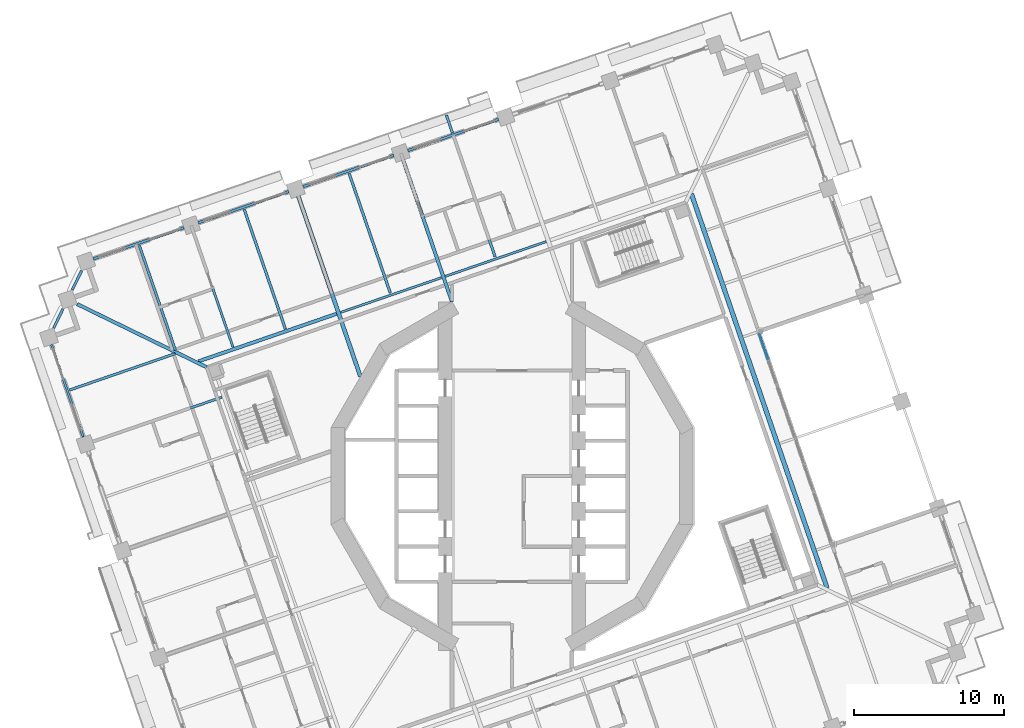
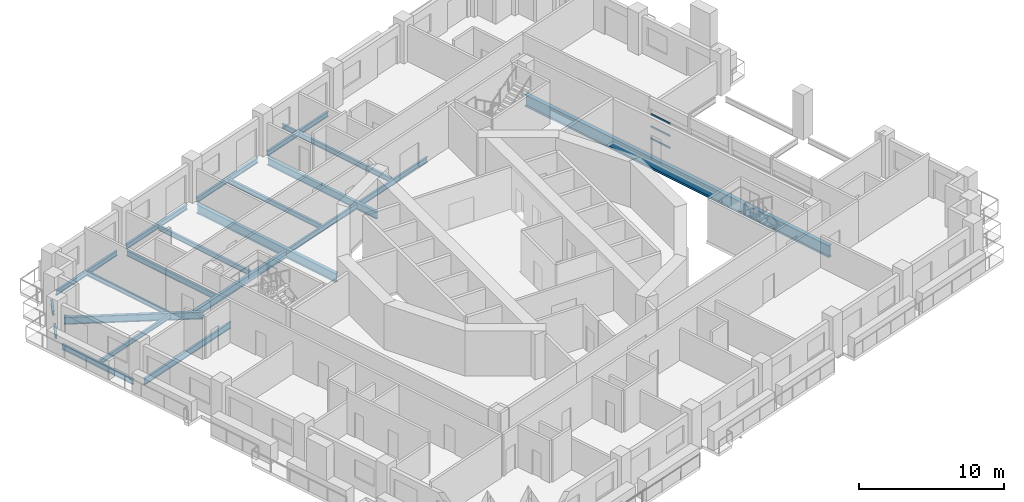
# One storey, part 3 of 21: 22 beams, 3 members, 1 element without a shape of its own.
"""IFC4 building model written with IfcOpenShell, lengths in metres."""

from ifc_helpers import new_model, si_unit, direction, frame, origin, origin_2d, place, context, subcontext, project, spatial, rectangle, i_section, extrude, material, material_profile, profile_set, type_object, element, aggregate, save


model = new_model("IFC4")

# Units and contexts
model_context = context("Model", 3, precision=1e-05, world=origin(), true_north=direction((0.0, 1.0)))
body_context = subcontext(model_context, "Body", "Model", "MODEL_VIEW")
ifc_project = project(units=[si_unit("LENGTHUNIT", "METRE"), si_unit("AREAUNIT", "SQUARE_METRE"), si_unit("VOLUMEUNIT", "CUBIC_METRE"), si_unit("PLANEANGLEUNIT", "RADIAN"), si_unit("MASSUNIT", "GRAM", prefix="KILO")], contexts=[model_context])

# Site, building, storey
site_placement = place(None, origin())
site = spatial("IfcSite", under=ifc_project, at=site_placement, CompositionType="ELEMENT")
building_placement = place(site_placement, origin())
building = spatial("IfcBuilding", under=site, at=building_placement, Name="Cantera Rosa Tower", CompositionType="ELEMENT")
storey_placement = place(building_placement, frame((0.0, 0.0, 119.300048828125)))
storey = spatial("IfcBuildingStorey", under=building, at=storey_placement, Name="L24", CompositionType="ELEMENT", Elevation=119.300048828125)

# Curtain wall, members
ifc_material_1 = material(Name="Aluminium frame with clear glass", Category="aluminium")
curtain_wall_type = type_object("IfcCurtainWallType", Name="CW1 TERRACE POCKET GLAZING", PredefinedType="NOTDEFINED", material=ifc_material_1)
curtain_wall_placement = place(storey_placement, origin())
curtain_wall = element("IfcCurtainWall", 1, at=curtain_wall_placement, inside=storey, type_object=curtain_wall_type, Name="CW1 CW1", PredefinedType="NOTDEFINED")
ifc_material_2 = material(Name="Anodised bronze aluminium", Category="aluminium")
ifc_material_profile_1 = material_profile(ifc_material_2, rectangle(XDim=0.06005859375, YDim=0.139892578125, at=origin_2d()), Name="CW-TRANSOM 60x140 POCKET")
ifc_profile_set_1 = profile_set([ifc_material_profile_1], Name="Anodised bronze aluminium")
member_type = type_object("IfcMemberType", Name="CW-TRANSOM 60x140 POCKET", PredefinedType="USERDEFINED", material=ifc_profile_set_1)
member_1_placement = place(storey_placement, frame((17.08984375, 7.805419921875, 0.030029296875), z_axis=(-0.325541424444, 0.945527779058, 0.0), x_axis=(-0.945527779058, -0.325541424444, 0.0)))
member_1 = element("IfcMember", 2, at=member_1_placement, type_object=member_type, Name="CW1 transom 8.1", ObjectType="TRANSOM", PredefinedType="USERDEFINED", context=body_context, shape_type="SweptSolid", body=[
    extrude(rectangle(XDim=0.06005859375, YDim=0.139892578125, at=origin_2d()), origin(), (0.0, 0.0, 1.0), 1.758544921875),
])
member_2_placement = place(storey_placement, frame((17.08984375, 7.805419921875, 1.052001953125), z_axis=(-0.325541424444, 0.945527779058, 0.0), x_axis=(-0.945527779058, -0.325541424444, 0.0)))
member_2 = element("IfcMember", 3, at=member_2_placement, type_object=member_type, Name="CW1 transom 8.2", ObjectType="TRANSOM", PredefinedType="USERDEFINED", context=body_context, shape_type="SweptSolid", body=[
    extrude(rectangle(XDim=0.06005859375, YDim=0.139892578125, at=origin_2d()), origin(), (0.0, 0.0, 1.0), 1.758544921875),
])
member_3_placement = place(storey_placement, frame((17.08984375, 7.805419921875, 2.073974609375), z_axis=(-0.325541424444, 0.945527779058, 0.0), x_axis=(-0.945527779058, -0.325541424444, 0.0)))
member_3 = element("IfcMember", 4, at=member_3_placement, type_object=member_type, Name="CW1 transom 8.3", ObjectType="TRANSOM", PredefinedType="USERDEFINED", context=body_context, shape_type="SweptSolid", body=[
    extrude(rectangle(XDim=0.06005859375, YDim=0.139892578125, at=origin_2d()), origin(), (0.0, 0.0, 1.0), 1.758544921875),
])
aggregate(curtain_wall, [member_1, member_2, member_3])

# Beams
ifc_material_3 = material(Name="Steel ASTM A992 (Fy 345 MPa)", Category="steel")
ifc_material_profile_2 = material_profile(ifc_material_3, i_section(OverallWidth=0.302001953125, OverallDepth=1.010009765625, WebThickness=0.02099609375, FlangeThickness=0.0400390625, FilletRadius=0.030029296875, at=origin_2d()), Name="W1000X350")
ifc_profile_set_2 = profile_set([ifc_material_profile_2], Name="Steel ASTM A992 (Fy 345 MPa)")
beam_type_1 = type_object("IfcBeamType", Name="STEEL BEAM W1000X350", PredefinedType="BEAM", material=ifc_profile_set_2)
beam_1_placement = place(storey_placement, frame((21.024658203125, -7.46142578125, -0.755126953125), z_axis=(-0.325567899412, 0.945518663418, 0.0), x_axis=(-0.945518663418, -0.325567899412, 0.0)))
element("IfcBeam", 5, at=beam_1_placement, inside=storey, type_object=beam_type_1, Name="RB-Z2-07 L24", PredefinedType="BEAM", context=body_context, shape_type="SweptSolid", body=[
    extrude(i_section(OverallWidth=0.302001953125, OverallDepth=1.010009765625, WebThickness=0.02099609375, FlangeThickness=0.0400390625, FilletRadius=0.030029296875, at=origin_2d()), origin(), (0.0, 0.0, 1.0), 27.800048828125),
])
ifc_material_4 = material(Name="Steel ASTM A992 (Fy 345 MPa)", Category="steel")
ifc_material_profile_3 = material_profile(ifc_material_4, i_section(OverallWidth=0.154052734375, OverallDepth=0.4599609375, WebThickness=0.009033203125, FlangeThickness=0.015380859375, FilletRadius=0.01025390625, at=origin_2d()), Name="W460X68")
ifc_profile_set_3 = profile_set([ifc_material_profile_3], Name="Steel ASTM A992 (Fy 345 MPa)")
beam_type_2 = type_object("IfcBeamType", Name="STEEL BEAM W460X68", PredefinedType="BEAM", material=ifc_profile_set_3)
beam_2_placement = place(storey_placement, frame((-21.25390625, 16.2666015625, -0.47998046875), z_axis=(0.325580085327, -0.945514467387, 0.0), x_axis=(0.945514467387, 0.325580085327, 0.0)))
element("IfcBeam", 6, at=beam_2_placement, inside=storey, type_object=beam_type_2, Name="G-Z2-09 L24", PredefinedType="BEAM", context=body_context, shape_type="SweptSolid", body=[
    extrude(i_section(OverallWidth=0.154052734375, OverallDepth=0.4599609375, WebThickness=0.009033203125, FlangeThickness=0.015380859375, FilletRadius=0.01025390625, at=origin_2d()), origin(), (0.0, 0.0, 1.0), 8.10009765625),
])
beam_3_placement = place(storey_placement, frame((-11.42919921875, 10.924072265625, -0.47998046875), z_axis=(0.945518325606, 0.32556888049, 0.0), x_axis=(-0.32556888049, 0.945518325606, 0.0)))
element("IfcBeam", 7, at=beam_3_placement, inside=storey, type_object=beam_type_2, Name="RB-Z2-02 L24", PredefinedType="BEAM", context=body_context, shape_type="SweptSolid", body=[
    extrude(i_section(OverallWidth=0.154052734375, OverallDepth=0.4599609375, WebThickness=0.009033203125, FlangeThickness=0.015380859375, FilletRadius=0.01025390625, at=origin_2d()), origin(), (0.0, 0.0, 1.0), 7.099853515625),
])
beam_4_placement = place(storey_placement, frame((-4.432373046875, 13.333251953125, -0.47998046875), z_axis=(0.945507740063, 0.325599621437, 0.0), x_axis=(-0.325599621437, 0.945507740063, 0.0)))
element("IfcBeam", 8, at=beam_4_placement, inside=storey, type_object=beam_type_2, Name="RB-Z2-03 L24", PredefinedType="BEAM", context=body_context, shape_type="SweptSolid", body=[
    extrude(i_section(OverallWidth=0.154052734375, OverallDepth=0.4599609375, WebThickness=0.009033203125, FlangeThickness=0.015380859375, FilletRadius=0.01025390625, at=origin_2d()), origin(), (0.0, 0.0, 1.0), 7.10009765625),
])
ifc_material_5 = material(Name="Steel ASTM A992 (Fy 345 MPa)", Category="steel")
ifc_material_profile_4 = material_profile(ifc_material_5, i_section(OverallWidth=0.166015625, OverallDepth=0.528076171875, WebThickness=0.009765625, FlangeThickness=0.013671875, FilletRadius=0.0126953125, at=origin_2d()), Name="W530X74")
ifc_profile_set_4 = profile_set([ifc_material_profile_4], Name="Steel ASTM A992 (Fy 345 MPa)")
beam_type_3 = type_object("IfcBeamType", Name="STEEL BEAM W530X74", PredefinedType="BEAM", material=ifc_profile_set_4)
beam_5_placement = place(storey_placement, frame((-27.97216796875, 2.29833984375, -0.51416015625), z_axis=(0.94551971591, 0.325564842737, 0.0), x_axis=(-0.325564842737, 0.94551971591, 0.0)))
element("IfcBeam", 9, at=beam_5_placement, inside=storey, type_object=beam_type_3, Name="G-Z2-15 L24", PredefinedType="BEAM", context=body_context, shape_type="SweptSolid", body=[
    extrude(i_section(OverallWidth=0.166015625, OverallDepth=0.528076171875, WebThickness=0.009765625, FlangeThickness=0.013671875, FilletRadius=0.0126953125, at=origin_2d()), origin(), (0.0, 0.0, 1.0), 9.10009765625),
])
ifc_material_6 = material(Name="Steel ASTM A992 (Fy 345 MPa)", Category="steel")
ifc_material_profile_5 = material_profile(ifc_material_6, i_section(OverallWidth=0.22802734375, OverallDepth=0.60205078125, WebThickness=0.010498046875, FlangeThickness=0.014892578125, FilletRadius=0.0126953125, at=origin_2d()), Name="W610X101")
ifc_profile_set_5 = profile_set([ifc_material_profile_5], Name="Steel ASTM A992 (Fy 345 MPa)")
beam_type_4 = type_object("IfcBeamType", Name="STEEL BEAM W610X101", PredefinedType="BEAM", material=ifc_profile_set_5)
beam_6_placement = place(storey_placement, frame((-29.017822265625, 11.47802734375, -0.551025390625), z_axis=(0.898796015179, -0.438367109965, 0.0), x_axis=(0.438367109965, 0.898796015179, 0.0)))
element("IfcBeam", 10, at=beam_6_placement, inside=storey, type_object=beam_type_4, Name="CB-Z2-02 L24", PredefinedType="BEAM", context=body_context, shape_type="SweptSolid", body=[
    extrude(i_section(OverallWidth=0.22802734375, OverallDepth=0.60205078125, WebThickness=0.010498046875, FlangeThickness=0.014892578125, FilletRadius=0.0126953125, at=origin_2d()), origin(), (0.0, 0.0, 1.0), 9.616455078125),
])
beam_7_placement = place(storey_placement, frame((-7.26025390625, 21.0849609375, -0.551025390625), z_axis=(0.325587365823, -0.945511960377, 0.0), x_axis=(0.945511960377, 0.325587365823, 0.0)))
element("IfcBeam", 11, at=beam_7_placement, inside=storey, type_object=beam_type_4, Name="G-Z2-07 L24", PredefinedType="BEAM", context=body_context, shape_type="SweptSolid", body=[
    extrude(i_section(OverallWidth=0.22802734375, OverallDepth=0.60205078125, WebThickness=0.010498046875, FlangeThickness=0.014892578125, FilletRadius=0.0126953125, at=origin_2d()), origin(), (0.0, 0.0, 1.0), 10.0),
])
ifc_material_7 = material(Name="Steel ASTM A992 (Fy 345 MPa)", Category="steel")
ifc_material_profile_6 = material_profile(ifc_material_7, i_section(OverallWidth=0.22900390625, OverallDepth=0.612060546875, WebThickness=0.011962890625, FlangeThickness=0.01953125, FilletRadius=0.0126953125, at=origin_2d()), Name="W610X125")
ifc_profile_set_6 = profile_set([ifc_material_profile_6], Name="Steel ASTM A992 (Fy 345 MPa)")
beam_type_5 = type_object("IfcBeamType", Name="STEEL BEAM W610X125", PredefinedType="BEAM", material=ifc_profile_set_6)
beam_8_placement = place(storey_placement, frame((-20.931640625, 7.652099609375, -0.55615234375), z_axis=(0.945517116269, 0.32557239263, 0.0), x_axis=(-0.32557239263, 0.945517116269, 0.0)))
element("IfcBeam", 12, at=beam_8_placement, inside=storey, type_object=beam_type_5, Name="RB-Z2-01 L24", PredefinedType="BEAM", context=body_context, shape_type="SweptSolid", body=[
    extrude(i_section(OverallWidth=0.22900390625, OverallDepth=0.612060546875, WebThickness=0.011962890625, FlangeThickness=0.01953125, FilletRadius=0.0126953125, at=origin_2d()), origin(), (0.0, 0.0, 1.0), 9.75),
])
ifc_material_8 = material(Name="Steel ASTM A992 (Fy 345 MPa)", Category="steel")
ifc_material_profile_7 = material_profile(ifc_material_8, i_section(OverallWidth=0.26708984375, OverallDepth=0.75390625, WebThickness=0.01318359375, FlangeThickness=0.01708984375, FilletRadius=0.0166015625, at=origin_2d()), Name="W760X147")
ifc_profile_set_7 = profile_set([ifc_material_profile_7], Name="Steel ASTM A992 (Fy 345 MPa)")
beam_type_6 = type_object("IfcBeamType", Name="STEEL BEAM W760X147", PredefinedType="BEAM", material=ifc_profile_set_7)
beam_9_placement = place(storey_placement, frame((-14.257080078125, 18.67578125, -0.626953125), z_axis=(0.325575880476, -0.945515915282, 0.0), x_axis=(0.945515915282, 0.325575880476, 0.0)))
element("IfcBeam", 13, at=beam_9_placement, inside=storey, type_object=beam_type_6, Name="G-Z2-08 L24", PredefinedType="BEAM", context=body_context, shape_type="SweptSolid", body=[
    extrude(i_section(OverallWidth=0.26708984375, OverallDepth=0.75390625, WebThickness=0.01318359375, FlangeThickness=0.01708984375, FilletRadius=0.0166015625, at=origin_2d()), origin(), (0.0, 0.0, 1.0), 12.734375),
])
ifc_material_9 = material(Name="Steel ASTM A992 (Fy 345 MPa)", Category="steel")
ifc_material_profile_8 = material_profile(ifc_material_9, i_section(OverallWidth=0.1708984375, OverallDepth=0.35595703125, WebThickness=0.00732421875, FlangeThickness=0.01171875, FilletRadius=0.010009765625, at=origin_2d()), Name="W360X51")
ifc_profile_set_8 = profile_set([ifc_material_profile_8], Name="Steel ASTM A992 (Fy 345 MPa)")
beam_type_7 = type_object("IfcBeamType", Name="STEEL JOIST W360X51", PredefinedType="JOIST", material=ifc_profile_set_8)
beam_10_placement = place(storey_placement, frame((-24.8662109375, 15.39306640625, -0.427978515625), z_axis=(0.325565645331, -0.945519439557, 0.0), x_axis=(0.945519439557, 0.325565645331, 0.0)))
element("IfcBeam", 14, at=beam_10_placement, inside=storey, type_object=beam_type_7, Name="B-Z2-11 L24", PredefinedType="JOIST", context=body_context, shape_type="SweptSolid", body=[
    extrude(i_section(OverallWidth=0.1708984375, OverallDepth=0.35595703125, WebThickness=0.00732421875, FlangeThickness=0.01171875, FilletRadius=0.010009765625, at=origin_2d()), origin(), (0.0, 0.0, 1.0), 7.39990234375),
])
beam_11_placement = place(storey_placement, frame((-29.52734375, 5.739501953125, -0.427978515625), z_axis=(0.945521732807, 0.325558985116, 0.0), x_axis=(-0.325558985116, 0.945521732807, 0.0)))
element("IfcBeam", 15, at=beam_11_placement, inside=storey, type_object=beam_type_7, Name="B-Z2-18 L24", PredefinedType="JOIST", context=body_context, shape_type="SweptSolid", body=[
    extrude(i_section(OverallWidth=0.1708984375, OverallDepth=0.35595703125, WebThickness=0.00732421875, FlangeThickness=0.01171875, FilletRadius=0.010009765625, at=origin_2d()), origin(), (0.0, 0.0, 1.0), 7.460205078125),
])
beam_12_placement = place(storey_placement, frame((-3.966796875, 22.88525390625, -0.427978515625), z_axis=(-0.3256515674, 0.945489850104, 0.0), x_axis=(-0.945489850104, -0.3256515674, 0.0)))
element("IfcBeam", 16, at=beam_12_placement, inside=storey, type_object=beam_type_7, Name="BS-Z2-09 L24", PredefinedType="JOIST", context=body_context, shape_type="SweptSolid", body=[
    extrude(i_section(OverallWidth=0.1708984375, OverallDepth=0.35595703125, WebThickness=0.00732421875, FlangeThickness=0.01171875, FilletRadius=0.010009765625, at=origin_2d()), origin(), (0.0, 0.0, 1.0), 1.2646484375),
])
ifc_material_10 = material(Name="Steel ASTM A992 (Fy 345 MPa)", Category="steel")
ifc_material_profile_9 = material_profile(ifc_material_10, i_section(OverallWidth=0.177978515625, OverallDepth=0.406005859375, WebThickness=0.0078125, FlangeThickness=0.0126953125, FilletRadius=0.01025390625, at=origin_2d()), Name="W410X60")
ifc_profile_set_9 = profile_set([ifc_material_profile_9], Name="Steel ASTM A992 (Fy 345 MPa)")
beam_type_8 = type_object("IfcBeamType", Name="STEEL JOIST W410X60", PredefinedType="JOIST", material=ifc_profile_set_9)
for number, where, z_axis, x_axis, name in (
    (17, (-3.875732421875, 22.62060546875, -0.453125), (0.325556131421, -0.945522715377, 0.0), (0.945522715377, 0.325556131421, 0.0), "B-Z2-08 L24"),
    (18, (-10.87255859375, 20.21142578125, -0.453125), (0.325556131421, -0.945522715377, 0.0), (0.945522715377, 0.325556131421, 0.0), "B-Z2-09 L24"),
    (19, (-17.869384765625, 17.80224609375, -0.453125), (0.325556131421, -0.945522715377, 0.0), (0.945522715377, 0.325556131421, 0.0), "B-Z2-10 L24"),
):
    element("IfcBeam", number, at=place(storey_placement, frame(where, z_axis=z_axis, x_axis=x_axis)), inside=storey, type_object=beam_type_8, Name=name, PredefinedType="JOIST", context=body_context, shape_type="SweptSolid", body=[
        extrude(i_section(OverallWidth=0.177978515625, OverallDepth=0.406005859375, WebThickness=0.0078125, FlangeThickness=0.0126953125, FilletRadius=0.01025390625, at=origin_2d()), origin(), (0.0, 0.0, 1.0), 8.4501953125),
    ])
ifc_material_11 = material(Name="Steel ASTM A992 (Fy 345 MPa)", Category="steel")
ifc_material_profile_10 = material_profile(ifc_material_11, i_section(OverallWidth=0.1708984375, OverallDepth=0.35595703125, WebThickness=0.00732421875, FlangeThickness=0.01171875, FilletRadius=0.010009765625, at=origin_2d()), Name="W360X51")
ifc_profile_set_10 = profile_set([ifc_material_profile_10], Name="Steel ASTM A992 (Fy 345 MPa)")
beam_type_9 = type_object("IfcBeamType", Name="STEEL SPANDREL BEAM W360X51", PredefinedType="SPANDREL", material=ifc_profile_set_10)
for number, where, z_axis, x_axis, name in (
    (20, (-28.723388671875, 13.694580078125, -0.427978515625), (-0.438491655897, -0.898735260079, 0.0), (0.898735260079, -0.438491655897, 0.0), "EB-Z2-14 L24"),
    (21, (-29.96337890625, 11.152587890625, -0.427978515625), (-0.438284186308, -0.898836454552, 0.0), (0.898836454552, -0.438284186308, 0.0), "EB-Z2-15 L24"),
):
    element("IfcBeam", number, at=place(storey_placement, frame(where, z_axis=z_axis, x_axis=x_axis)), inside=storey, type_object=beam_type_9, Name=name, PredefinedType="SPANDREL", context=body_context, shape_type="SweptSolid", body=[
        extrude(i_section(OverallWidth=0.1708984375, OverallDepth=0.35595703125, WebThickness=0.00732421875, FlangeThickness=0.01171875, FilletRadius=0.010009765625, at=origin_2d()), origin(), (0.0, 0.0, 1.0), 1.414306640625),
    ])
ifc_material_12 = material(Name="Steel ASTM A992 (Fy 345 MPa)", Category="steel")
ifc_material_profile_11 = material_profile(ifc_material_12, i_section(OverallWidth=0.177978515625, OverallDepth=0.406005859375, WebThickness=0.0078125, FlangeThickness=0.0126953125, FilletRadius=0.01025390625, at=origin_2d()), Name="W410X60")
ifc_profile_set_11 = profile_set([ifc_material_profile_11], Name="Steel ASTM A992 (Fy 345 MPa)")
beam_type_10 = type_object("IfcBeamType", Name="STEEL SPANDREL BEAM W410X60", PredefinedType="SPANDREL", material=ifc_profile_set_11)
for number, where, z_axis, x_axis, name in (
    (22, (-0.89892578125, 23.80419921875, -0.453125), (-0.945524496524, -0.325550958337, 0.0), (0.325550958337, -0.945524496524, 0.0), "EB-Z2-10 L24"),
    (23, (-7.895751953125, 21.39501953125, -0.453125), (-0.945524496524, -0.325550958337, 0.0), (0.325550958337, -0.945524496524, 0.0), "EB-Z2-11 L24"),
    (24, (-14.892578125, 18.98583984375, -0.453125), (-0.945512753621, -0.325585062219, 0.0), (0.325585062219, -0.945512753621, 0.0), "EB-Z2-12 L24"),
    (25, (-21.889404296875, 16.57666015625, -0.453125), (-0.945512753621, -0.325585062219, 0.0), (0.325585062219, -0.945512753621, 0.0), "EB-Z2-13 L24"),
):
    element("IfcBeam", number, at=place(storey_placement, frame(where, z_axis=z_axis, x_axis=x_axis)), inside=storey, type_object=beam_type_10, Name=name, PredefinedType="SPANDREL", context=body_context, shape_type="SweptSolid", body=[
        extrude(i_section(OverallWidth=0.177978515625, OverallDepth=0.406005859375, WebThickness=0.0078125, FlangeThickness=0.0126953125, FilletRadius=0.01025390625, at=origin_2d()), origin(), (0.0, 0.0, 1.0), 6.39990234375),
    ])
ifc_material_13 = material(Name="Steel ASTM A992 (Fy 345 MPa)", Category="steel")
ifc_material_profile_12 = material_profile(ifc_material_13, i_section(OverallWidth=0.154052734375, OverallDepth=0.4599609375, WebThickness=0.009033203125, FlangeThickness=0.015380859375, FilletRadius=0.01025390625, at=origin_2d()), Name="W460X68")
ifc_profile_set_12 = profile_set([ifc_material_profile_12], Name="Steel ASTM A992 (Fy 345 MPa)")
beam_type_11 = type_object("IfcBeamType", Name="STEEL SPANDREL BEAM W460X68", PredefinedType="SPANDREL", material=ifc_profile_set_12)
beam_13_placement = place(storey_placement, frame((-30.73046875, 8.773193359375, -0.47998046875), z_axis=(0.325580990241, -0.945514155787, 0.0), x_axis=(0.945514155787, 0.325580990241, 0.0)))
element("IfcBeam", 26, at=beam_13_placement, inside=storey, type_object=beam_type_11, Name="EB-Z2-16 L24", PredefinedType="SPANDREL", context=body_context, shape_type="SweptSolid", body=[
    extrude(i_section(OverallWidth=0.154052734375, OverallDepth=0.4599609375, WebThickness=0.009033203125, FlangeThickness=0.015380859375, FilletRadius=0.01025390625, at=origin_2d()), origin(), (0.0, 0.0, 1.0), 6.52001953125),
])

save(model, "model.ifc")
